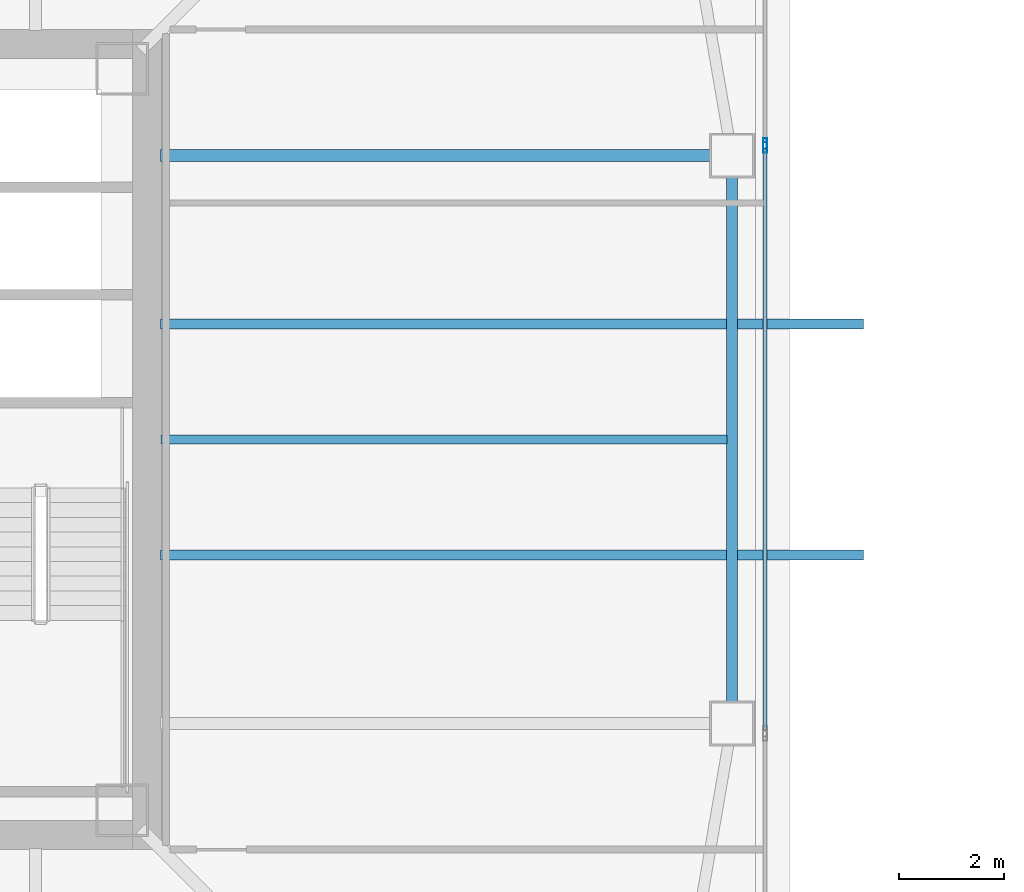
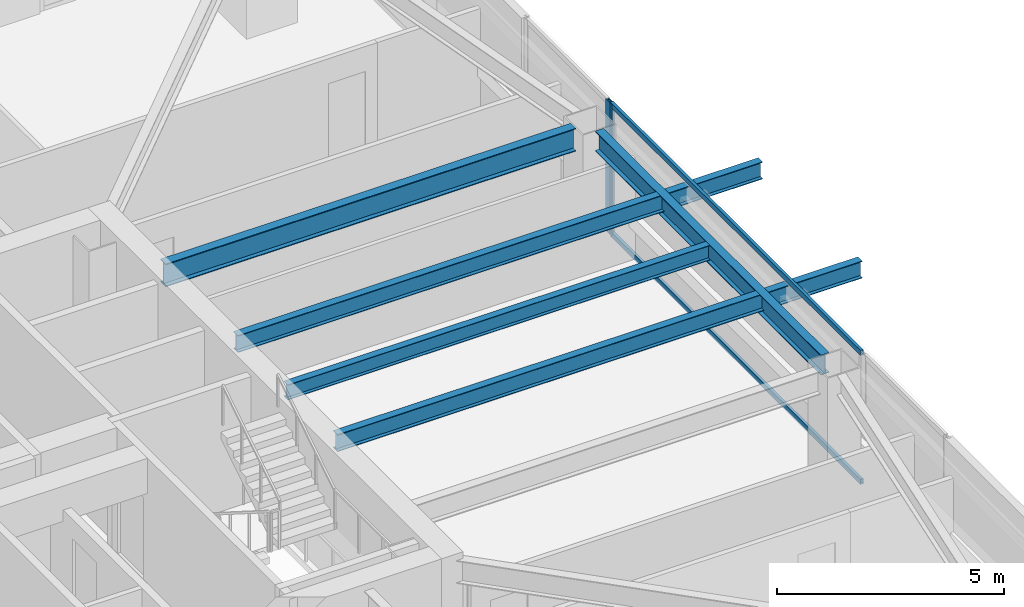
# One storey, part 11 of 46: 5 beams, 4 members, 2 elements without a shape of their own.
"""IFC4 building model written with IfcOpenShell, lengths in metres."""

from ifc_helpers import new_model, si_unit, direction, frame, origin, origin_2d, place, context, subcontext, project, spatial, hollow_rectangle, i_section, extrude, material, material_profile, profile_set, type_object, element, aggregate, save


model = new_model("IFC4")

# Units and contexts
model_context = context("Model", 3, precision=1e-05, world=origin(), true_north=direction((0.0, 1.0)))
body_context = subcontext(model_context, "Body", "Model", "MODEL_VIEW")
ifc_project = project(units=[si_unit("LENGTHUNIT", "METRE"), si_unit("AREAUNIT", "SQUARE_METRE"), si_unit("VOLUMEUNIT", "CUBIC_METRE"), si_unit("PLANEANGLEUNIT", "RADIAN"), si_unit("MASSUNIT", "GRAM", prefix="KILO")], contexts=[model_context])

# Site, building, storey
site_placement = place(None, origin())
site = spatial("IfcSite", under=ifc_project, at=site_placement, CompositionType="ELEMENT")
building_placement = place(site_placement, origin())
building = spatial("IfcBuilding", under=site, at=building_placement, Name="Tashvorn Skyway Center", CompositionType="ELEMENT")
storey_placement = place(building_placement, frame((0.0, 0.0, 139.25)))
storey = spatial("IfcBuildingStorey", under=building, at=storey_placement, Name="L37", CompositionType="ELEMENT", Elevation=139.25)

# Beams
ifc_material_1 = material(Name="Steel ASTM A992 Grade 50", Category="steel")
ifc_material_profile_1 = material_profile(ifc_material_1, i_section(OverallWidth=0.22998046875, OverallDepth=0.616943359375, WebThickness=0.01318359375, FlangeThickness=0.022216796875, at=origin_2d()), Name="W24X94")
ifc_profile_set_1 = profile_set([ifc_material_profile_1], Name="Steel ASTM A992 Grade 50")
beam_type_1 = type_object("IfcBeamType", Name="BM-BEAM-W24X94", PredefinedType="BEAM", material=ifc_profile_set_1)
beam_1_placement = place(storey_placement, frame((60.22998046875, 37.39990234375, 3.0615234375), z_axis=(-1.0, 0.0, 0.0), x_axis=(0.0, -1.0, 0.0)))
element("IfcBeam", 1, at=beam_1_placement, inside=storey, type_object=beam_type_1, Name="Tower 1 L37 Primary Floor Girder FC-E2", PredefinedType="BEAM", context=body_context, shape_type="SweptSolid", body=[
    extrude(i_section(OverallWidth=0.22998046875, OverallDepth=0.616943359375, WebThickness=0.01318359375, FlangeThickness=0.022216796875, at=origin_2d()), origin(), (0.0, 0.0, 1.0), 10.449951171875),
])
ifc_material_profile_2 = material_profile(ifc_material_1, i_section(OverallWidth=0.177978515625, OverallDepth=0.406005859375, WebThickness=0.0078125, FlangeThickness=0.0126953125, at=origin_2d()), Name="W16X40")
ifc_profile_set_2 = profile_set([ifc_material_profile_2], Name="Steel ASTM A992 Grade 50")
beam_type_2 = type_object("IfcBeamType", Name="BM-JOIST-W16X40", PredefinedType="JOIST", material=ifc_profile_set_2)
beam_2_placement = place(storey_placement, frame((49.7900390625, 32.0, 3.1669921875), z_axis=(1.0, 0.0, 0.0), x_axis=(0.0, 1.0, 0.0)))
element("IfcBeam", 2, at=beam_2_placement, inside=storey, type_object=beam_type_2, Name="Tower 1 L37 Secondary Composite Joist JE", PredefinedType="JOIST", context=body_context, shape_type="SweptSolid", body=[
    extrude(i_section(OverallWidth=0.177978515625, OverallDepth=0.406005859375, WebThickness=0.0078125, FlangeThickness=0.0126953125, at=origin_2d()), origin(), (0.0, 0.0, 1.0), 10.762451171875),
])
ifc_material_profile_3 = material_profile(ifc_material_1, i_section(OverallWidth=0.19091796875, OverallDepth=0.4599609375, WebThickness=0.010009765625, FlangeThickness=0.01611328125, at=origin_2d()), Name="W18X55")
ifc_profile_set_3 = profile_set([ifc_material_profile_3], Name="Steel ASTM A992 Grade 50")
beam_type_3 = type_object("IfcBeamType", Name="BM-JOIST-W18X55", PredefinedType="JOIST", material=ifc_profile_set_3)
for number, where, z_axis, x_axis, name in (
    (3, (49.780029296875, 29.800048828125, 3.139892578125), (1.0, 0.0, 0.0), (0.0, 1.0, 0.0), "Tower 1 L38 Terrace Cantilever Outlooker 1"),
    (4, (49.780029296875, 34.199951171875, 3.139892578125), (1.0, 0.0, 0.0), (0.0, 1.0, 0.0), "Tower 1 L38 Terrace Cantilever Outlooker 2"),
):
    element("IfcBeam", number, at=place(storey_placement, frame(where, z_axis=z_axis, x_axis=x_axis)), inside=storey, type_object=beam_type_3, Name=name, PredefinedType="JOIST", context=body_context, shape_type="SweptSolid", body=[
        extrude(i_section(OverallWidth=0.19091796875, OverallDepth=0.4599609375, WebThickness=0.010009765625, FlangeThickness=0.01611328125, at=origin_2d()), origin(), (0.0, 0.0, 1.0), 13.369873046875),
    ])
ifc_material_profile_4 = material_profile(ifc_material_1, i_section(OverallWidth=0.2109375, OverallDepth=0.5390625, WebThickness=0.01171875, FlangeThickness=0.018798828125, at=origin_2d()), Name="W21X73")
ifc_profile_set_4 = profile_set([ifc_material_profile_4], Name="Steel ASTM A992 Grade 50")
beam_type_4 = type_object("IfcBeamType", Name="BM-SPANDREL-W21X73", PredefinedType="SPANDREL", material=ifc_profile_set_4)
beam_3_placement = place(storey_placement, frame((60.64990234375, 27.02001953125, 3.1005859375), z_axis=(0.0, 1.0, 0.0), x_axis=(-1.0, 0.0, 0.0)))
element("IfcBeam", 5, at=beam_3_placement, inside=storey, type_object=beam_type_4, Name="Tower 1 L37 Spandrel Beam 05", PredefinedType="SPANDREL", context=body_context, shape_type="SweptSolid", body=[
    extrude(i_section(OverallWidth=0.2109375, OverallDepth=0.5390625, WebThickness=0.01171875, FlangeThickness=0.018798828125, at=origin_2d()), origin(), (0.0, 0.0, 1.0), 9.9599609375),
])

# Curtain wall, member
ifc_material_2 = material(Name="Thermally broken bronze-anodized aluminium 6063-T6", Category="aluminium")
curtain_wall_type = type_object("IfcCurtainWallType", Name="CW-CW-Z3", PredefinedType="NOTDEFINED", material=ifc_material_2)
curtain_wall_1_placement = place(storey_placement, origin())
curtain_wall_1 = element("IfcCurtainWall", 6, at=curtain_wall_1_placement, inside=storey, type_object=curtain_wall_type, Name="Tower 1 L37 East Unitised Curtain Wall Glazing Group 2", PredefinedType="NOTDEFINED")
ifc_material_profile_5 = material_profile(ifc_material_2, hollow_rectangle(XDim=0.074951171875, YDim=0.199951171875, WallThickness=0.00439453125, at=origin_2d()), Name="ALU-MULL-75x200")
ifc_profile_set_5 = profile_set([ifc_material_profile_5], Name="Thermally broken bronze-anodized aluminium 6063-T6")
member_type_1 = type_object("IfcMemberType", Name="CWM-CW-Z3", PredefinedType="MULLION", material=ifc_profile_set_5)
member_1_placement = place(storey_placement, frame((61.280029296875, 37.630859375, 0.0), z_axis=(0.0, 0.0, 1.0), x_axis=(1.0, 0.0, 0.0)))
member_1 = element("IfcMember", 7, at=member_1_placement, type_object=member_type_1, Name="CW-Z3 mullion 2", PredefinedType="MULLION", context=body_context, shape_type="SweptSolid", body=[
    extrude(hollow_rectangle(XDim=0.074951171875, YDim=0.199951171875, WallThickness=0.00439453125, at=origin_2d()), origin(), (0.0, 0.0, 1.0), 3.550048828125),
])
aggregate(curtain_wall_1, [member_1])

# Curtain wall, members
curtain_wall_2_placement = place(storey_placement, origin())
curtain_wall_2 = element("IfcCurtainWall", 8, at=curtain_wall_2_placement, inside=storey, type_object=curtain_wall_type, Name="Tower 1 L37 East Unitised Curtain Wall Glazing Group 3", PredefinedType="NOTDEFINED")
member_2_placement = place(storey_placement, frame((61.280029296875, 37.555908203125, 0.0), z_axis=(0.0, 0.0, 1.0), x_axis=(1.0, 0.0, 0.0)))
member_2 = element("IfcMember", 9, at=member_2_placement, type_object=member_type_1, Name="CW-Z3 mullion 1", PredefinedType="MULLION", context=body_context, shape_type="SweptSolid", body=[
    extrude(hollow_rectangle(XDim=0.074951171875, YDim=0.199951171875, WallThickness=0.00439453125, at=origin_2d()), origin(), (0.0, 0.0, 1.0), 3.550048828125),
])
ifc_material_profile_6 = material_profile(ifc_material_2, hollow_rectangle(XDim=0.074951171875, YDim=0.139892578125, WallThickness=0.004150390625, at=origin_2d()), Name="ALU-TRAN-75x140")
ifc_profile_set_6 = profile_set([ifc_material_profile_6], Name="Thermally broken bronze-anodized aluminium 6063-T6")
member_type_2 = type_object("IfcMemberType", Name="CWT-CW-Z3", PredefinedType="USERDEFINED", material=ifc_profile_set_6)
member_3_placement = place(storey_placement, frame((61.280029296875, 37.518310546875, 0.03759765625), z_axis=(0.0, -1.0, 0.0), x_axis=(1.0, 0.0, 0.0)))
member_3 = element("IfcMember", 10, at=member_3_placement, type_object=member_type_2, Name="CW-Z3 transom 1.1", ObjectType="TRANSOM", PredefinedType="USERDEFINED", context=body_context, shape_type="SweptSolid", body=[
    extrude(hollow_rectangle(XDim=0.074951171875, YDim=0.139892578125, WallThickness=0.004150390625, at=origin_2d()), origin(), (0.0, 0.0, 1.0), 11.03662109375),
])
member_4_placement = place(storey_placement, frame((61.280029296875, 37.518310546875, 3.512451171875), z_axis=(0.0, -1.0, 0.0), x_axis=(1.0, 0.0, 0.0)))
member_4 = element("IfcMember", 11, at=member_4_placement, type_object=member_type_2, Name="CW-Z3 transom 1.2", ObjectType="TRANSOM", PredefinedType="USERDEFINED", context=body_context, shape_type="SweptSolid", body=[
    extrude(hollow_rectangle(XDim=0.074951171875, YDim=0.139892578125, WallThickness=0.004150390625, at=origin_2d()), origin(), (0.0, 0.0, 1.0), 11.03662109375),
])
aggregate(curtain_wall_2, [member_2, member_3, member_4])

save(model, "model.ifc")
